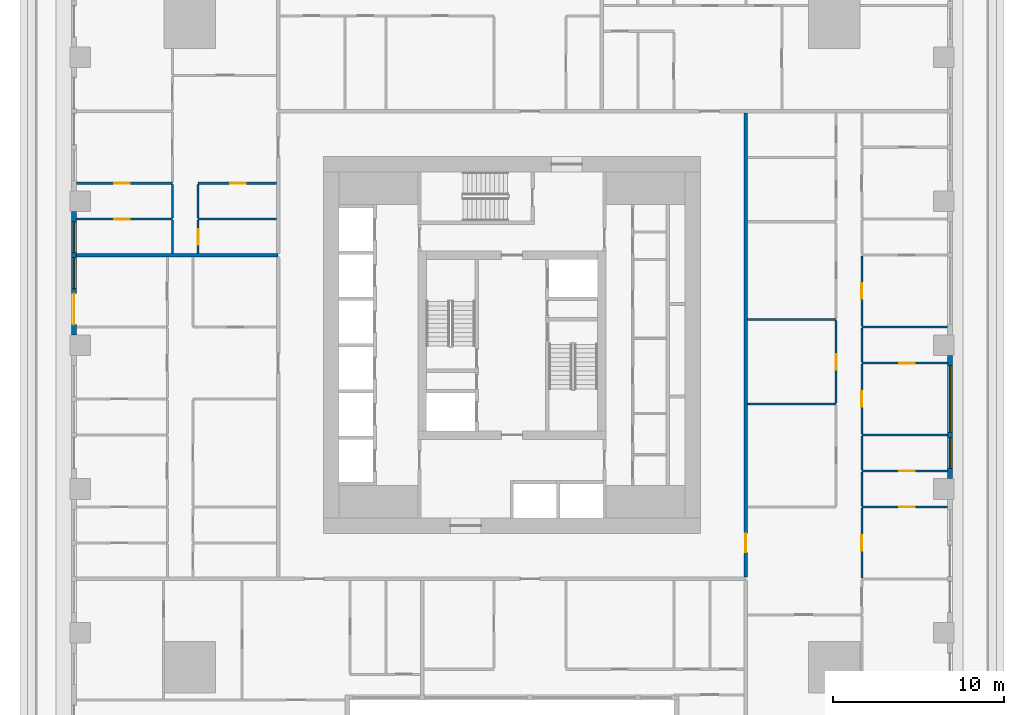
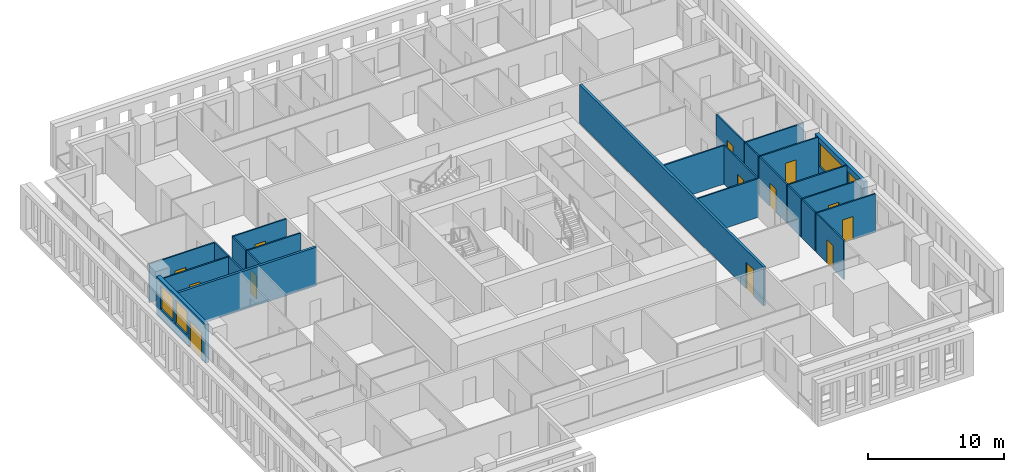
# One storey, part 6 of 15: 26 walls, 13 doors, 4 windows, 17 openings.
"""IFC4 building model written with IfcOpenShell, lengths in metres."""

from ifc_helpers import new_model, si_unit, direction, frame, frame_2d, origin, place, context, subcontext, project, spatial, rectangle, extrude, material, layer, layer_set, type_object, element, fill, save


model = new_model("IFC4")

# Units and contexts
model_context = context("Model", 3, precision=1e-05, world=origin(), true_north=direction((0.0, 1.0)))
body_context = subcontext(model_context, "Body", "Model", "MODEL_VIEW")
ifc_project = project(units=[si_unit("LENGTHUNIT", "METRE"), si_unit("AREAUNIT", "SQUARE_METRE"), si_unit("VOLUMEUNIT", "CUBIC_METRE"), si_unit("PLANEANGLEUNIT", "RADIAN"), si_unit("MASSUNIT", "GRAM", prefix="KILO")], contexts=[model_context])

# Site, building, storey
site_placement = place(None, origin())
site = spatial("IfcSite", under=ifc_project, at=site_placement, CompositionType="ELEMENT")
building_placement = place(site_placement, origin())
building = spatial("IfcBuilding", under=site, at=building_placement, Name="Khepri Terraces", CompositionType="ELEMENT")
storey_placement = place(building_placement, frame((0.0, 0.0, 54.300048828125)))
storey = spatial("IfcBuildingStorey", under=building, at=storey_placement, Name="L12", CompositionType="ELEMENT", Elevation=54.300048828125)

# Wall, opening, door
ifc_material_1 = material(Name="Fire-rated gypsum plasterboard partition, mineral wool")
ifc_layer_1 = layer(ifc_material_1, 0.199951171875, Name="Fire-rated gypsum plasterboard partition, mineral wool")
ifc_layer_set_1 = layer_set([ifc_layer_1], Name="Fire-rated gypsum plasterboard partition, mineral wool")
wall_type_1 = type_object("IfcWallType", Name="WL-CORR-200", PredefinedType="PARTITIONING", material=ifc_layer_set_1)
wall_1_placement = place(storey_placement, frame((13.64990234375, -13.550048828125, 0.0), z_axis=(0.0, 0.0, 1.0), x_axis=(0.0, 1.0, 0.0)))
wall_1 = element("IfcWall", 1, at=wall_1_placement, inside=storey, type_object=wall_type_1, Name="Partition P-026 L12", PredefinedType="PARTITIONING", context=body_context, shape_type="SweptSolid", body=[
    extrude(rectangle(XDim=27.10009765625, YDim=0.199951171875, at=frame_2d((13.550048828125, 0.0))), origin(), (0.0, 0.0, 1.0), 3.47998046875),
])
opening_1_placement = place(wall_1_placement, frame((1.449951171875, 0.0, 0.0)))
opening_1 = element("IfcOpeningElement", 2, at=opening_1_placement, cuts=wall_1, Name="Opening D1", PredefinedType="OPENING", context=body_context, shape_type="SweptSolid", body=[
    extrude(rectangle(XDim=1.10009765625, YDim=2.39990234375, at=frame_2d((0.550048828125, 1.199951171875))), frame((0.0, 0.10986328125, 0.0), z_axis=(0.0, -1.0, 0.0), x_axis=(1.0, 0.0, 0.0)), (0.0, 0.0, 1.0), 0.219970703125),
])
ifc_material_2 = material(Name="Solid-core timber door leaf, flat entrance door", Category="wood")
door_type_1 = type_object("IfcDoorType", Name="DR-ENT-1100", OperationType="NOTDEFINED", PredefinedType="DOOR", material=ifc_material_2)
door_1_placement = place(opening_1_placement, frame((1.10009765625, 0.0, 0.0), z_axis=(0.0, 0.0, 1.0), x_axis=(-1.0, 0.0, 0.0)))
door_1 = element("IfcDoor", 3, at=door_1_placement, inside=storey, type_object=door_type_1, Name="Flat B1 entrance door", OperationType="SINGLE_SWING_RIGHT", OverallHeight=2.39990234375, OverallWidth=1.10009765625, PredefinedType="DOOR", context=body_context, shape_type="SweptSolid", body=[
    extrude(rectangle(XDim=1.10009765625, YDim=2.39990234375, at=frame_2d((0.550048828125, 1.199951171875))), frame((0.0, 0.02490234375, 0.0), z_axis=(0.0, -1.0, 0.0), x_axis=(1.0, 0.0, 0.0)), (0.0, 0.0, 1.0), 0.050048828125),
])
fill(opening_1, door_1)

# Wall
wall_2_placement = place(storey_placement, frame((-25.419921875, 5.25, 0.0), z_axis=(0.0, 0.0, 1.0), x_axis=(1.0, 0.0, 0.0)))
element("IfcWall", 4, at=wall_2_placement, inside=storey, type_object=wall_type_1, Name="Partition P-060 L12", PredefinedType="PARTITIONING", context=body_context, shape_type="SweptSolid", body=[
    extrude(rectangle(XDim=11.77001953125, YDim=0.199951171875, at=frame_2d((5.885009765625, 0.0))), origin(), (0.0, 0.0, 1.0), 3.47998046875),
])

# Wall, openings, windows
ifc_material_3 = material(Name="Precast concrete C50/60 warm stone", Category="masonry")
ifc_layer_2 = layer(ifc_material_3, 0.300048828125, Name="Precast concrete C50/60 warm stone", Category="masonry")
ifc_layer_set_2 = layer_set([ifc_layer_2], Name="Precast concrete C50/60 warm stone")
wall_type_2 = type_object("IfcWallType", Name="WL-EXT-PRECAST-300", PredefinedType="STANDARD", material=ifc_layer_set_2)
wall_3_placement = place(storey_placement, frame((25.570068359375, -7.800048828125, 0.0), z_axis=(0.0, 0.0, 1.0), x_axis=(0.0, 1.0, 0.0)))
wall_3 = element("IfcWall", 5, at=wall_3_placement, inside=storey, type_object=wall_type_2, Name="External wall L12 E", PredefinedType="STANDARD", context=body_context, shape_type="SweptSolid", body=[
    extrude(rectangle(XDim=7.199951171875, YDim=0.300048828125, at=frame_2d((3.60009765625, 0.0))), origin(), (0.0, 0.0, 1.0), 3.47998046875),
])
opening_2_placement = place(wall_3_placement, frame((0.60009765625, 0.0, 0.89990234375)))
opening_2 = element("IfcOpeningElement", 6, at=opening_2_placement, cuts=wall_3, Name="Opening W1", PredefinedType="OPENING", context=body_context, shape_type="SweptSolid", body=[
    extrude(rectangle(XDim=1.800048828125, YDim=2.10009765625, at=frame_2d((0.89990234375, 1.050048828125))), frame((0.0, 0.16015625, 0.0), z_axis=(0.0, -1.0, 0.0), x_axis=(1.0, 0.0, 0.0)), (0.0, 0.0, 1.0), 0.320068359375),
])
opening_3_placement = place(wall_3_placement, frame((2.699951171875, 0.0, 0.89990234375)))
opening_3 = element("IfcOpeningElement", 7, at=opening_3_placement, cuts=wall_3, Name="Opening W2", PredefinedType="OPENING", context=body_context, shape_type="SweptSolid", body=[
    extrude(rectangle(XDim=3.89990234375, YDim=2.10009765625, at=frame_2d((1.949951171875, 1.050048828125))), frame((0.0, 0.16015625, 0.0), z_axis=(0.0, -1.0, 0.0), x_axis=(1.0, 0.0, 0.0)), (0.0, 0.0, 1.0), 0.320068359375),
])
ifc_material_4 = material(Name="Clear glass", Category="glass")
window_type_1 = type_object("IfcWindowType", Name="WIN-RES-1800x2100", PartitioningType="SINGLE_PANEL", PredefinedType="WINDOW", material=ifc_material_4)
window_1_placement = place(opening_2_placement, origin())
window_1 = element("IfcWindow", 8, at=window_1_placement, inside=storey, type_object=window_type_1, Name="Window L12 E", OverallHeight=2.10009765625, OverallWidth=1.800048828125, PartitioningType="SINGLE_PANEL", PredefinedType="WINDOW", context=body_context, shape_type="SweptSolid", body=[
    extrude(rectangle(XDim=1.800048828125, YDim=2.10009765625, at=frame_2d((0.89990234375, 1.050048828125))), frame((0.0, 0.030029296875, 0.0), z_axis=(0.0, -1.0, 0.0), x_axis=(1.0, 0.0, 0.0)), (0.0, 0.0, 1.0), 0.06005859375),
])
fill(opening_2, window_1)
window_type_2 = type_object("IfcWindowType", Name="WIN-RES-3900x2100", PartitioningType="SINGLE_PANEL", PredefinedType="WINDOW", material=ifc_material_4)
window_2_placement = place(opening_3_placement, origin())
window_2 = element("IfcWindow", 9, at=window_2_placement, inside=storey, type_object=window_type_2, Name="Window L12 E", OverallHeight=2.10009765625, OverallWidth=3.89990234375, PartitioningType="SINGLE_PANEL", PredefinedType="WINDOW", context=body_context, shape_type="SweptSolid", body=[
    extrude(rectangle(XDim=3.89990234375, YDim=2.10009765625, at=frame_2d((1.949951171875, 1.050048828125))), frame((0.0, 0.030029296875, 0.0), z_axis=(0.0, -1.0, 0.0), x_axis=(1.0, 0.0, 0.0)), (0.0, 0.0, 1.0), 0.06005859375),
])
fill(opening_3, window_2)

# Wall, openings, door, windows
wall_4_placement = place(storey_placement, frame((-25.570068359375, 7.800048828125, 0.0), z_axis=(0.0, 0.0, 1.0), x_axis=(0.0, -1.0, 0.0)))
wall_4 = element("IfcWall", 10, at=wall_4_placement, inside=storey, type_object=wall_type_2, Name="External wall L12 W", PredefinedType="STANDARD", context=body_context, shape_type="SweptSolid", body=[
    extrude(rectangle(XDim=7.199951171875, YDim=0.300048828125, at=frame_2d((3.60009765625, 0.0))), origin(), (0.0, 0.0, 1.0), 3.47998046875),
])
opening_4_placement = place(wall_4_placement, frame((0.60009765625, 0.0, 0.89990234375)))
opening_4 = element("IfcOpeningElement", 11, at=opening_4_placement, cuts=wall_4, Name="Opening W1", PredefinedType="OPENING", context=body_context, shape_type="SweptSolid", body=[
    extrude(rectangle(XDim=1.800048828125, YDim=2.10009765625, at=frame_2d((0.89990234375, 1.050048828125))), frame((0.0, 0.16015625, 0.0), z_axis=(0.0, -1.0, 0.0), x_axis=(1.0, 0.0, 0.0)), (0.0, 0.0, 1.0), 0.320068359375),
])
opening_5_placement = place(wall_4_placement, frame((2.699951171875, 0.0, 0.89990234375)))
opening_5 = element("IfcOpeningElement", 12, at=opening_5_placement, cuts=wall_4, Name="Opening W1", PredefinedType="OPENING", context=body_context, shape_type="SweptSolid", body=[
    extrude(rectangle(XDim=1.800048828125, YDim=2.10009765625, at=frame_2d((0.89990234375, 1.050048828125))), frame((0.0, 0.16015625, 0.0), z_axis=(0.0, -1.0, 0.0), x_axis=(1.0, 0.0, 0.0)), (0.0, 0.0, 1.0), 0.320068359375),
])
opening_6_placement = place(wall_4_placement, frame((4.800048828125, 0.0, 0.0)))
opening_6 = element("IfcOpeningElement", 13, at=opening_6_placement, cuts=wall_4, Name="Opening ED-L12-14", PredefinedType="OPENING", context=body_context, shape_type="SweptSolid", body=[
    extrude(rectangle(XDim=1.800048828125, YDim=2.39990234375, at=frame_2d((0.89990234375, 1.199951171875))), frame((0.0, 0.16015625, 0.0), z_axis=(0.0, -1.0, 0.0), x_axis=(1.0, 0.0, 0.0)), (0.0, 0.0, 1.0), 0.320068359375),
])
ifc_material_5 = material(Name="Anodised aluminium bronze glazed door", Category="aluminium")
door_type_2 = type_object("IfcDoorType", Name="DR-BAL-SLIDE-1800x2400", OperationType="NOTDEFINED", PredefinedType="DOOR", material=ifc_material_5)
door_2_placement = place(opening_6_placement, origin())
door_2 = element("IfcDoor", 14, at=door_2_placement, inside=storey, type_object=door_type_2, Name="Balcony door L12 W", OperationType="SLIDING_TO_RIGHT", OverallHeight=2.39990234375, OverallWidth=1.800048828125, PredefinedType="DOOR", context=body_context, shape_type="SweptSolid", body=[
    extrude(rectangle(XDim=1.800048828125, YDim=2.39990234375, at=frame_2d((0.89990234375, 1.199951171875))), frame((0.0, 0.02490234375, 0.0), z_axis=(0.0, -1.0, 0.0), x_axis=(1.0, 0.0, 0.0)), (0.0, 0.0, 1.0), 0.050048828125),
])
fill(opening_6, door_2)
window_3_placement = place(opening_4_placement, origin())
window_3 = element("IfcWindow", 15, at=window_3_placement, inside=storey, type_object=window_type_1, Name="Window L12 W", OverallHeight=2.10009765625, OverallWidth=1.800048828125, PartitioningType="SINGLE_PANEL", PredefinedType="WINDOW", context=body_context, shape_type="SweptSolid", body=[
    extrude(rectangle(XDim=1.800048828125, YDim=2.10009765625, at=frame_2d((0.89990234375, 1.050048828125))), frame((0.0, 0.030029296875, 0.0), z_axis=(0.0, -1.0, 0.0), x_axis=(1.0, 0.0, 0.0)), (0.0, 0.0, 1.0), 0.06005859375),
])
fill(opening_4, window_3)
window_4_placement = place(opening_5_placement, origin())
window_4 = element("IfcWindow", 16, at=window_4_placement, inside=storey, type_object=window_type_1, Name="Window L12 W", OverallHeight=2.10009765625, OverallWidth=1.800048828125, PartitioningType="SINGLE_PANEL", PredefinedType="WINDOW", context=body_context, shape_type="SweptSolid", body=[
    extrude(rectangle(XDim=1.800048828125, YDim=2.10009765625, at=frame_2d((0.89990234375, 1.050048828125))), frame((0.0, 0.030029296875, 0.0), z_axis=(0.0, -1.0, 0.0), x_axis=(1.0, 0.0, 0.0)), (0.0, 0.0, 1.0), 0.06005859375),
])
fill(opening_5, window_4)

# Wall, opening, door
ifc_material_6 = material(Name="Gypsum plasterboard partition")
ifc_layer_3 = layer(ifc_material_6, 0.1201171875, Name="Gypsum plasterboard partition")
ifc_layer_set_3 = layer_set([ifc_layer_3], Name="Gypsum plasterboard partition")
wall_type_3 = type_object("IfcWallType", Name="WL-PART-120", PredefinedType="PARTITIONING", material=ifc_layer_set_3)
wall_5_placement = place(storey_placement, frame((20.419921875, -13.590087890625, 0.0), z_axis=(0.0, 0.0, 1.0), x_axis=(0.0, 1.0, 0.0)))
wall_5 = element("IfcWall", 17, at=wall_5_placement, inside=storey, type_object=wall_type_3, Name="Partition P-022 L12", PredefinedType="PARTITIONING", context=body_context, shape_type="SweptSolid", body=[
    extrude(rectangle(XDim=4.080078125, YDim=0.1201171875, at=frame_2d((2.0400390625, 0.0))), origin(), (0.0, 0.0, 1.0), 3.47998046875),
])
opening_7_placement = place(wall_5_placement, frame((1.590087890625, 0.0, 0.0)))
opening_7 = element("IfcOpeningElement", 18, at=opening_7_placement, cuts=wall_5, Name="Opening D3", PredefinedType="OPENING", context=body_context, shape_type="SweptSolid", body=[
    extrude(rectangle(XDim=0.89990234375, YDim=2.10009765625, at=frame_2d((0.449951171875, 1.050048828125))), frame((0.0, 0.070068359375, 0.0), z_axis=(0.0, -1.0, 0.0), x_axis=(1.0, 0.0, 0.0)), (0.0, 0.0, 1.0), 0.14013671875),
])
ifc_material_7 = material(Name="Timber door leaf", Category="wood")
door_type_3 = type_object("IfcDoorType", Name="DR-INT-900", OperationType="NOTDEFINED", PredefinedType="DOOR", material=ifc_material_7)
door_3_placement = place(opening_7_placement, frame((0.89990234375, 0.0, 0.0), z_axis=(0.0, 0.0, 1.0), x_axis=(-1.0, 0.0, 0.0)))
door_3 = element("IfcDoor", 19, at=door_3_placement, inside=storey, type_object=door_type_3, Name="Door Master Bedroom", OperationType="SINGLE_SWING_RIGHT", OverallHeight=2.10009765625, OverallWidth=0.89990234375, PredefinedType="DOOR", context=body_context, shape_type="SweptSolid", body=[
    extrude(rectangle(XDim=0.89990234375, YDim=2.10009765625, at=frame_2d((0.449951171875, 1.050048828125))), frame((0.0, 0.02490234375, 0.0), z_axis=(0.0, -1.0, 0.0), x_axis=(1.0, 0.0, 0.0)), (0.0, 0.0, 1.0), 0.050048828125),
])
fill(opening_7, door_3)

wall_6_placement = place(storey_placement, frame((20.419921875, -9.449951171875, 0.0), z_axis=(0.0, 0.0, 1.0), x_axis=(1.0, 0.0, 0.0)))
wall_6 = element("IfcWall", 20, at=wall_6_placement, inside=storey, type_object=wall_type_3, Name="Partition P-034 L12", PredefinedType="PARTITIONING", context=body_context, shape_type="SweptSolid", body=[
    extrude(rectangle(XDim=5.0, YDim=0.1201171875, at=frame_2d((2.5, 0.0))), origin(), (0.0, 0.0, 1.0), 3.47998046875),
])
opening_8_placement = place(wall_6_placement, frame((2.199951171875, 0.0, 0.0)))
opening_8 = element("IfcOpeningElement", 21, at=opening_8_placement, cuts=wall_6, Name="Opening D3", PredefinedType="OPENING", context=body_context, shape_type="SweptSolid", body=[
    extrude(rectangle(XDim=0.89990234375, YDim=2.10009765625, at=frame_2d((0.449951171875, 1.050048828125))), frame((0.0, 0.070068359375, 0.0), z_axis=(0.0, -1.0, 0.0), x_axis=(1.0, 0.0, 0.0)), (0.0, 0.0, 1.0), 0.14013671875),
])
door_4_placement = place(opening_8_placement, origin())
door_4 = element("IfcDoor", 22, at=door_4_placement, inside=storey, type_object=door_type_3, Name="Door Dressing Room", OperationType="SINGLE_SWING_RIGHT", OverallHeight=2.10009765625, OverallWidth=0.89990234375, PredefinedType="DOOR", context=body_context, shape_type="SweptSolid", body=[
    extrude(rectangle(XDim=0.89990234375, YDim=2.10009765625, at=frame_2d((0.449951171875, 1.050048828125))), frame((0.0, 0.02490234375, 0.0), z_axis=(0.0, -1.0, 0.0), x_axis=(1.0, 0.0, 0.0)), (0.0, 0.0, 1.0), 0.050048828125),
])
fill(opening_8, door_4)

# Wall
wall_7_placement = place(storey_placement, frame((20.419921875, -9.389892578125, 0.0), z_axis=(0.0, 0.0, 1.0), x_axis=(0.0, 1.0, 0.0)))
element("IfcWall", 23, at=wall_7_placement, inside=storey, type_object=wall_type_3, Name="Partition P-038 L12", PredefinedType="PARTITIONING", context=body_context, shape_type="SweptSolid", body=[
    extrude(rectangle(XDim=1.97998046875, YDim=0.1201171875, at=frame_2d((0.989990234375, 0.0))), origin(), (0.0, 0.0, 1.0), 3.47998046875),
])

# Wall, opening, door
wall_8_placement = place(storey_placement, frame((20.419921875, -7.35009765625, 0.0), z_axis=(0.0, 0.0, 1.0), x_axis=(1.0, 0.0, 0.0)))
wall_8 = element("IfcWall", 24, at=wall_8_placement, inside=storey, type_object=wall_type_3, Name="Partition P-039 L12", PredefinedType="PARTITIONING", context=body_context, shape_type="SweptSolid", body=[
    extrude(rectangle(XDim=5.0, YDim=0.1201171875, at=frame_2d((2.5, 0.0))), origin(), (0.0, 0.0, 1.0), 3.47998046875),
])
opening_9_placement = place(wall_8_placement, frame((2.199951171875, 0.0, 0.0)))
opening_9 = element("IfcOpeningElement", 25, at=opening_9_placement, cuts=wall_8, Name="Opening D4", PredefinedType="OPENING", context=body_context, shape_type="SweptSolid", body=[
    extrude(rectangle(XDim=0.89990234375, YDim=2.10009765625, at=frame_2d((0.449951171875, 1.050048828125))), frame((0.0, 0.070068359375, 0.0), z_axis=(0.0, -1.0, 0.0), x_axis=(1.0, 0.0, 0.0)), (0.0, 0.0, 1.0), 0.14013671875),
])
ifc_material_8 = material(Name="Timber door leaf, moisture resistant", Category="wood")
door_type_4 = type_object("IfcDoorType", Name="DR-WET-900", OperationType="NOTDEFINED", PredefinedType="DOOR", material=ifc_material_8)
door_5_placement = place(opening_9_placement, origin())
door_5 = element("IfcDoor", 26, at=door_5_placement, inside=storey, type_object=door_type_4, Name="Door Bathroom", OperationType="SINGLE_SWING_RIGHT", OverallHeight=2.10009765625, OverallWidth=0.89990234375, PredefinedType="DOOR", context=body_context, shape_type="SweptSolid", body=[
    extrude(rectangle(XDim=0.89990234375, YDim=2.10009765625, at=frame_2d((0.449951171875, 1.050048828125))), frame((0.0, 0.02490234375, 0.0), z_axis=(0.0, -1.0, 0.0), x_axis=(1.0, 0.0, 0.0)), (0.0, 0.0, 1.0), 0.050048828125),
])
fill(opening_9, door_5)

# Walls
wall_9_placement = place(storey_placement, frame((20.419921875, -7.2900390625, 0.0), z_axis=(0.0, 0.0, 1.0), x_axis=(0.0, 1.0, 0.0)))
element("IfcWall", 27, at=wall_9_placement, inside=storey, type_object=wall_type_3, Name="Partition P-040 L12", PredefinedType="PARTITIONING", context=body_context, shape_type="SweptSolid", body=[
    extrude(rectangle(XDim=1.97998046875, YDim=0.1201171875, at=frame_2d((0.989990234375, 0.0))), origin(), (0.0, 0.0, 1.0), 3.47998046875),
])
wall_10_placement = place(storey_placement, frame((20.419921875, -5.25, 0.0), z_axis=(0.0, 0.0, 1.0), x_axis=(1.0, 0.0, 0.0)))
element("IfcWall", 28, at=wall_10_placement, inside=storey, type_object=wall_type_3, Name="Partition P-042 L12", PredefinedType="PARTITIONING", context=body_context, shape_type="SweptSolid", body=[
    extrude(rectangle(XDim=5.0, YDim=0.1201171875, at=frame_2d((2.5, 0.0))), origin(), (0.0, 0.0, 1.0), 3.47998046875),
])

# Wall, opening, door
wall_11_placement = place(storey_placement, frame((20.419921875, -5.18994140625, 0.0), z_axis=(0.0, 0.0, 1.0), x_axis=(0.0, 1.0, 0.0)))
wall_11 = element("IfcWall", 29, at=wall_11_placement, inside=storey, type_object=wall_type_3, Name="Partition P-044 L12", PredefinedType="PARTITIONING", context=body_context, shape_type="SweptSolid", body=[
    extrude(rectangle(XDim=4.079833984375, YDim=0.1201171875, at=frame_2d((2.0400390625, 0.0))), origin(), (0.0, 0.0, 1.0), 3.47998046875),
])
opening_10_placement = place(wall_11_placement, frame((1.590087890625, 0.0, 0.0)))
opening_10 = element("IfcOpeningElement", 30, at=opening_10_placement, cuts=wall_11, Name="Opening D3", PredefinedType="OPENING", context=body_context, shape_type="SweptSolid", body=[
    extrude(rectangle(XDim=0.89990234375, YDim=2.10009765625, at=frame_2d((0.449951171875, 1.050048828125))), frame((0.0, 0.070068359375, 0.0), z_axis=(0.0, -1.0, 0.0), x_axis=(1.0, 0.0, 0.0)), (0.0, 0.0, 1.0), 0.14013671875),
])
door_6_placement = place(opening_10_placement, frame((0.89990234375, 0.0, 0.0), z_axis=(0.0, 0.0, 1.0), x_axis=(-1.0, 0.0, 0.0)))
door_6 = element("IfcDoor", 31, at=door_6_placement, inside=storey, type_object=door_type_3, Name="Door Bedroom", OperationType="SINGLE_SWING_LEFT", OverallHeight=2.10009765625, OverallWidth=0.89990234375, PredefinedType="DOOR", context=body_context, shape_type="SweptSolid", body=[
    extrude(rectangle(XDim=0.89990234375, YDim=2.10009765625, at=frame_2d((0.449951171875, 1.050048828125))), frame((0.0, 0.02490234375, 0.0), z_axis=(0.0, -1.0, 0.0), x_axis=(1.0, 0.0, 0.0)), (0.0, 0.0, 1.0), 0.050048828125),
])
fill(opening_10, door_6)

# Wall
wall_12_placement = place(storey_placement, frame((13.75, -3.449951171875, 0.0), z_axis=(0.0, 0.0, 1.0), x_axis=(1.0, 0.0, 0.0)))
element("IfcWall", 32, at=wall_12_placement, inside=storey, type_object=wall_type_3, Name="Partition P-045 L12", PredefinedType="PARTITIONING", context=body_context, shape_type="SweptSolid", body=[
    extrude(rectangle(XDim=5.169921875, YDim=0.1201171875, at=frame_2d((2.5849609375, 0.0))), origin(), (0.0, 0.0, 1.0), 3.47998046875),
])

# Wall, opening, door
wall_13_placement = place(storey_placement, frame((18.919921875, -3.389892578125, 0.0), z_axis=(0.0, 0.0, 1.0), x_axis=(0.0, 1.0, 0.0)))
wall_13 = element("IfcWall", 33, at=wall_13_placement, inside=storey, type_object=wall_type_3, Name="Partition P-046 L12", PredefinedType="PARTITIONING", context=body_context, shape_type="SweptSolid", body=[
    extrude(rectangle(XDim=4.829833984375, YDim=0.1201171875, at=frame_2d((2.4150390625, 0.0))), origin(), (0.0, 0.0, 1.0), 3.47998046875),
])
opening_11_placement = place(wall_13_placement, frame((1.965087890625, 0.0, 0.0)))
opening_11 = element("IfcOpeningElement", 34, at=opening_11_placement, cuts=wall_13, Name="Opening D3", PredefinedType="OPENING", context=body_context, shape_type="SweptSolid", body=[
    extrude(rectangle(XDim=0.89990234375, YDim=2.10009765625, at=frame_2d((0.449951171875, 1.050048828125))), frame((0.0, 0.070068359375, 0.0), z_axis=(0.0, -1.0, 0.0), x_axis=(1.0, 0.0, 0.0)), (0.0, 0.0, 1.0), 0.14013671875),
])
door_7_placement = place(opening_11_placement, origin())
door_7 = element("IfcDoor", 35, at=door_7_placement, inside=storey, type_object=door_type_3, Name="Door Service Store", OperationType="SINGLE_SWING_RIGHT", OverallHeight=2.10009765625, OverallWidth=0.89990234375, PredefinedType="DOOR", context=body_context, shape_type="SweptSolid", body=[
    extrude(rectangle(XDim=0.89990234375, YDim=2.10009765625, at=frame_2d((0.449951171875, 1.050048828125))), frame((0.0, 0.02490234375, 0.0), z_axis=(0.0, -1.0, 0.0), x_axis=(1.0, 0.0, 0.0)), (0.0, 0.0, 1.0), 0.050048828125),
])
fill(opening_11, door_7)

wall_14_placement = place(storey_placement, frame((20.419921875, -1.050048828125, 0.0), z_axis=(0.0, 0.0, 1.0), x_axis=(1.0, 0.0, 0.0)))
wall_14 = element("IfcWall", 36, at=wall_14_placement, inside=storey, type_object=wall_type_3, Name="Partition P-050 L12", PredefinedType="PARTITIONING", context=body_context, shape_type="SweptSolid", body=[
    extrude(rectangle(XDim=5.0, YDim=0.1201171875, at=frame_2d((2.5, 0.0))), origin(), (0.0, 0.0, 1.0), 3.47998046875),
])
opening_12_placement = place(wall_14_placement, frame((2.199951171875, 0.0, 0.0)))
opening_12 = element("IfcOpeningElement", 37, at=opening_12_placement, cuts=wall_14, Name="Opening D4", PredefinedType="OPENING", context=body_context, shape_type="SweptSolid", body=[
    extrude(rectangle(XDim=0.89990234375, YDim=2.10009765625, at=frame_2d((0.449951171875, 1.050048828125))), frame((0.0, 0.070068359375, 0.0), z_axis=(0.0, -1.0, 0.0), x_axis=(1.0, 0.0, 0.0)), (0.0, 0.0, 1.0), 0.14013671875),
])
door_8_placement = place(opening_12_placement, origin())
door_8 = element("IfcDoor", 38, at=door_8_placement, inside=storey, type_object=door_type_4, Name="Door Bathroom", OperationType="SINGLE_SWING_RIGHT", OverallHeight=2.10009765625, OverallWidth=0.89990234375, PredefinedType="DOOR", context=body_context, shape_type="SweptSolid", body=[
    extrude(rectangle(XDim=0.89990234375, YDim=2.10009765625, at=frame_2d((0.449951171875, 1.050048828125))), frame((0.0, 0.02490234375, 0.0), z_axis=(0.0, -1.0, 0.0), x_axis=(1.0, 0.0, 0.0)), (0.0, 0.0, 1.0), 0.050048828125),
])
fill(opening_12, door_8)

# Walls
wall_15_placement = place(storey_placement, frame((20.419921875, -0.989990234375, 0.0), z_axis=(0.0, 0.0, 1.0), x_axis=(0.0, 1.0, 0.0)))
element("IfcWall", 39, at=wall_15_placement, inside=storey, type_object=wall_type_3, Name="Partition P-051 L12", PredefinedType="PARTITIONING", context=body_context, shape_type="SweptSolid", body=[
    extrude(rectangle(XDim=1.97998046875, YDim=0.1201171875, at=frame_2d((0.989990234375, 0.0))), origin(), (0.0, 0.0, 1.0), 3.47998046875),
])
wall_16_placement = place(storey_placement, frame((20.419921875, 1.050048828125, 0.0), z_axis=(0.0, 0.0, 1.0), x_axis=(1.0, 0.0, 0.0)))
element("IfcWall", 40, at=wall_16_placement, inside=storey, type_object=wall_type_3, Name="Partition P-054 L12", PredefinedType="PARTITIONING", context=body_context, shape_type="SweptSolid", body=[
    extrude(rectangle(XDim=5.0, YDim=0.1201171875, at=frame_2d((2.5, 0.0))), origin(), (0.0, 0.0, 1.0), 3.47998046875),
])

# Wall, opening, door
wall_17_placement = place(storey_placement, frame((20.419921875, 1.110107421875, 0.0), z_axis=(0.0, 0.0, 1.0), x_axis=(0.0, 1.0, 0.0)))
wall_17 = element("IfcWall", 41, at=wall_17_placement, inside=storey, type_object=wall_type_3, Name="Partition P-057 L12", PredefinedType="PARTITIONING", context=body_context, shape_type="SweptSolid", body=[
    extrude(rectangle(XDim=4.079833984375, YDim=0.1201171875, at=frame_2d((2.0400390625, 0.0))), origin(), (0.0, 0.0, 1.0), 3.47998046875),
])
opening_13_placement = place(wall_17_placement, frame((1.590087890625, 0.0, 0.0)))
opening_13 = element("IfcOpeningElement", 42, at=opening_13_placement, cuts=wall_17, Name="Opening D3", PredefinedType="OPENING", context=body_context, shape_type="SweptSolid", body=[
    extrude(rectangle(XDim=0.89990234375, YDim=2.10009765625, at=frame_2d((0.449951171875, 1.050048828125))), frame((0.0, 0.070068359375, 0.0), z_axis=(0.0, -1.0, 0.0), x_axis=(1.0, 0.0, 0.0)), (0.0, 0.0, 1.0), 0.14013671875),
])
door_9_placement = place(opening_13_placement, frame((0.89990234375, 0.0, 0.0), z_axis=(0.0, 0.0, 1.0), x_axis=(-1.0, 0.0, 0.0)))
door_9 = element("IfcDoor", 43, at=door_9_placement, inside=storey, type_object=door_type_3, Name="Door Bedroom", OperationType="SINGLE_SWING_LEFT", OverallHeight=2.10009765625, OverallWidth=0.89990234375, PredefinedType="DOOR", context=body_context, shape_type="SweptSolid", body=[
    extrude(rectangle(XDim=0.89990234375, YDim=2.10009765625, at=frame_2d((0.449951171875, 1.050048828125))), frame((0.0, 0.02490234375, 0.0), z_axis=(0.0, -1.0, 0.0), x_axis=(1.0, 0.0, 0.0)), (0.0, 0.0, 1.0), 0.050048828125),
])
fill(opening_13, door_9)

# Walls
wall_18_placement = place(storey_placement, frame((13.75, 1.5, 0.0), z_axis=(0.0, 0.0, 1.0), x_axis=(1.0, 0.0, 0.0)))
element("IfcWall", 44, at=wall_18_placement, inside=storey, type_object=wall_type_3, Name="Partition P-058 L12", PredefinedType="PARTITIONING", context=body_context, shape_type="SweptSolid", body=[
    extrude(rectangle(XDim=5.169921875, YDim=0.1201171875, at=frame_2d((2.5849609375, 0.0))), origin(), (0.0, 0.0, 1.0), 3.47998046875),
])
wall_19_placement = place(storey_placement, frame((-19.820068359375, 5.35009765625, 0.0), z_axis=(0.0, 0.0, 1.0), x_axis=(0.0, 1.0, 0.0)))
element("IfcWall", 45, at=wall_19_placement, inside=storey, type_object=wall_type_3, Name="Partition P-063 L12", PredefinedType="PARTITIONING", context=body_context, shape_type="SweptSolid", body=[
    extrude(rectangle(XDim=1.93994140625, YDim=0.1201171875, at=frame_2d((0.969970703125, 0.0))), origin(), (0.0, 0.0, 1.0), 3.47998046875),
])

# Wall, opening, door
wall_20_placement = place(storey_placement, frame((-18.320068359375, 5.35009765625, 0.0), z_axis=(0.0, 0.0, 1.0), x_axis=(0.0, 1.0, 0.0)))
wall_20 = element("IfcWall", 46, at=wall_20_placement, inside=storey, type_object=wall_type_3, Name="Partition P-064 L12", PredefinedType="PARTITIONING", context=body_context, shape_type="SweptSolid", body=[
    extrude(rectangle(XDim=1.93994140625, YDim=0.1201171875, at=frame_2d((0.969970703125, 0.0))), origin(), (0.0, 0.0, 1.0), 3.47998046875),
])
opening_14_placement = place(wall_20_placement, frame((0.5, 0.0, 0.0)))
opening_14 = element("IfcOpeningElement", 47, at=opening_14_placement, cuts=wall_20, Name="Opening D3", PredefinedType="OPENING", context=body_context, shape_type="SweptSolid", body=[
    extrude(rectangle(XDim=0.89990234375, YDim=2.10009765625, at=frame_2d((0.449951171875, 1.050048828125))), frame((0.0, 0.070068359375, 0.0), z_axis=(0.0, -1.0, 0.0), x_axis=(1.0, 0.0, 0.0)), (0.0, 0.0, 1.0), 0.14013671875),
])
door_10_placement = place(opening_14_placement, frame((0.89990234375, 0.0, 0.0), z_axis=(0.0, 0.0, 1.0), x_axis=(-1.0, 0.0, 0.0)))
door_10 = element("IfcDoor", 48, at=door_10_placement, inside=storey, type_object=door_type_3, Name="Door Kitchen", OperationType="SINGLE_SWING_RIGHT", OverallHeight=2.10009765625, OverallWidth=0.89990234375, PredefinedType="DOOR", context=body_context, shape_type="SweptSolid", body=[
    extrude(rectangle(XDim=0.89990234375, YDim=2.10009765625, at=frame_2d((0.449951171875, 1.050048828125))), frame((0.0, 0.02490234375, 0.0), z_axis=(0.0, -1.0, 0.0), x_axis=(1.0, 0.0, 0.0)), (0.0, 0.0, 1.0), 0.050048828125),
])
fill(opening_14, door_10)

wall_21_placement = place(storey_placement, frame((-25.419921875, 7.35009765625, 0.0), z_axis=(0.0, 0.0, 1.0), x_axis=(1.0, 0.0, 0.0)))
wall_21 = element("IfcWall", 49, at=wall_21_placement, inside=storey, type_object=wall_type_3, Name="Partition P-068 L12", PredefinedType="PARTITIONING", context=body_context, shape_type="SweptSolid", body=[
    extrude(rectangle(XDim=5.599853515625, YDim=0.1201171875, at=frame_2d((2.7998046875, 0.0))), origin(), (0.0, 0.0, 1.0), 3.47998046875),
])
opening_15_placement = place(wall_21_placement, frame((2.199951171875, 0.0, 0.0)))
opening_15 = element("IfcOpeningElement", 50, at=opening_15_placement, cuts=wall_21, Name="Opening D4", PredefinedType="OPENING", context=body_context, shape_type="SweptSolid", body=[
    extrude(rectangle(XDim=0.89990234375, YDim=2.10009765625, at=frame_2d((0.449951171875, 1.050048828125))), frame((0.0, 0.070068359375, 0.0), z_axis=(0.0, -1.0, 0.0), x_axis=(1.0, 0.0, 0.0)), (0.0, 0.0, 1.0), 0.14013671875),
])
door_11_placement = place(opening_15_placement, frame((0.89990234375, 0.0, 0.0), z_axis=(0.0, 0.0, 1.0), x_axis=(-1.0, 0.0, 0.0)))
door_11 = element("IfcDoor", 51, at=door_11_placement, inside=storey, type_object=door_type_4, Name="Door Bathroom", OperationType="SINGLE_SWING_RIGHT", OverallHeight=2.10009765625, OverallWidth=0.89990234375, PredefinedType="DOOR", context=body_context, shape_type="SweptSolid", body=[
    extrude(rectangle(XDim=0.89990234375, YDim=2.10009765625, at=frame_2d((0.449951171875, 1.050048828125))), frame((0.0, 0.02490234375, 0.0), z_axis=(0.0, -1.0, 0.0), x_axis=(1.0, 0.0, 0.0)), (0.0, 0.0, 1.0), 0.050048828125),
])
fill(opening_15, door_11)

# Walls
wall_22_placement = place(storey_placement, frame((-18.320068359375, 7.35009765625, 0.0), z_axis=(0.0, 0.0, 1.0), x_axis=(1.0, 0.0, 0.0)))
element("IfcWall", 52, at=wall_22_placement, inside=storey, type_object=wall_type_3, Name="Partition P-069 L12", PredefinedType="PARTITIONING", context=body_context, shape_type="SweptSolid", body=[
    extrude(rectangle(XDim=4.570068359375, YDim=0.1201171875, at=frame_2d((2.28515625, 0.0))), origin(), (0.0, 0.0, 1.0), 3.47998046875),
])
for number, where, z_axis, x_axis, name in (
    (53, (-19.820068359375, 7.409912109375, 0.0), (0.0, 0.0, 1.0), (0.0, 1.0, 0.0), "Partition P-071 L12"),
    (54, (-18.320068359375, 7.409912109375, 0.0), (0.0, 0.0, 1.0), (0.0, 1.0, 0.0), "Partition P-072 L12"),
):
    element("IfcWall", number, at=place(storey_placement, frame(where, z_axis=z_axis, x_axis=x_axis)), inside=storey, type_object=wall_type_3, Name=name, PredefinedType="PARTITIONING", context=body_context, shape_type="SweptSolid", body=[
        extrude(rectangle(XDim=1.97998046875, YDim=0.1201171875, at=frame_2d((0.989990234375, 0.0))), origin(), (0.0, 0.0, 1.0), 3.47998046875),
    ])

# Wall, opening, door
wall_23_placement = place(storey_placement, frame((-25.419921875, 9.449951171875, 0.0), z_axis=(0.0, 0.0, 1.0), x_axis=(1.0, 0.0, 0.0)))
wall_23 = element("IfcWall", 55, at=wall_23_placement, inside=storey, type_object=wall_type_3, Name="Partition P-074 L12", PredefinedType="PARTITIONING", context=body_context, shape_type="SweptSolid", body=[
    extrude(rectangle(XDim=5.599853515625, YDim=0.1201171875, at=frame_2d((2.7998046875, 0.0))), origin(), (0.0, 0.0, 1.0), 3.47998046875),
])
opening_16_placement = place(wall_23_placement, frame((2.199951171875, 0.0, 0.0)))
opening_16 = element("IfcOpeningElement", 56, at=opening_16_placement, cuts=wall_23, Name="Opening D3", PredefinedType="OPENING", context=body_context, shape_type="SweptSolid", body=[
    extrude(rectangle(XDim=0.89990234375, YDim=2.10009765625, at=frame_2d((0.449951171875, 1.050048828125))), frame((0.0, 0.070068359375, 0.0), z_axis=(0.0, -1.0, 0.0), x_axis=(1.0, 0.0, 0.0)), (0.0, 0.0, 1.0), 0.14013671875),
])
door_12_placement = place(opening_16_placement, frame((0.89990234375, 0.0, 0.0), z_axis=(0.0, 0.0, 1.0), x_axis=(-1.0, 0.0, 0.0)))
door_12 = element("IfcDoor", 57, at=door_12_placement, inside=storey, type_object=door_type_3, Name="Door Dressing Room", OperationType="SINGLE_SWING_RIGHT", OverallHeight=2.10009765625, OverallWidth=0.89990234375, PredefinedType="DOOR", context=body_context, shape_type="SweptSolid", body=[
    extrude(rectangle(XDim=0.89990234375, YDim=2.10009765625, at=frame_2d((0.449951171875, 1.050048828125))), frame((0.0, 0.02490234375, 0.0), z_axis=(0.0, -1.0, 0.0), x_axis=(1.0, 0.0, 0.0)), (0.0, 0.0, 1.0), 0.050048828125),
])
fill(opening_16, door_12)

wall_24_placement = place(storey_placement, frame((-18.320068359375, 9.449951171875, 0.0), z_axis=(0.0, 0.0, 1.0), x_axis=(1.0, 0.0, 0.0)))
wall_24 = element("IfcWall", 58, at=wall_24_placement, inside=storey, type_object=wall_type_3, Name="Partition P-075 L12", PredefinedType="PARTITIONING", context=body_context, shape_type="SweptSolid", body=[
    extrude(rectangle(XDim=4.570068359375, YDim=0.1201171875, at=frame_2d((2.28515625, 0.0))), origin(), (0.0, 0.0, 1.0), 3.47998046875),
])
opening_17_placement = place(wall_24_placement, frame((1.885009765625, 0.0, 0.0)))
opening_17 = element("IfcOpeningElement", 59, at=opening_17_placement, cuts=wall_24, Name="Opening D4", PredefinedType="OPENING", context=body_context, shape_type="SweptSolid", body=[
    extrude(rectangle(XDim=0.89990234375, YDim=2.10009765625, at=frame_2d((0.449951171875, 1.050048828125))), frame((0.0, 0.070068359375, 0.0), z_axis=(0.0, -1.0, 0.0), x_axis=(1.0, 0.0, 0.0)), (0.0, 0.0, 1.0), 0.14013671875),
])
door_13_placement = place(opening_17_placement, frame((0.89990234375, 0.0, 0.0), z_axis=(0.0, 0.0, 1.0), x_axis=(-1.0, 0.0, 0.0)))
door_13 = element("IfcDoor", 60, at=door_13_placement, inside=storey, type_object=door_type_4, Name="Door Guest Bathroom", OperationType="SINGLE_SWING_LEFT", OverallHeight=2.10009765625, OverallWidth=0.89990234375, PredefinedType="DOOR", context=body_context, shape_type="SweptSolid", body=[
    extrude(rectangle(XDim=0.89990234375, YDim=2.10009765625, at=frame_2d((0.449951171875, 1.050048828125))), frame((0.0, 0.02490234375, 0.0), z_axis=(0.0, -1.0, 0.0), x_axis=(1.0, 0.0, 0.0)), (0.0, 0.0, 1.0), 0.050048828125),
])
fill(opening_17, door_13)

save(model, "model.ifc")
